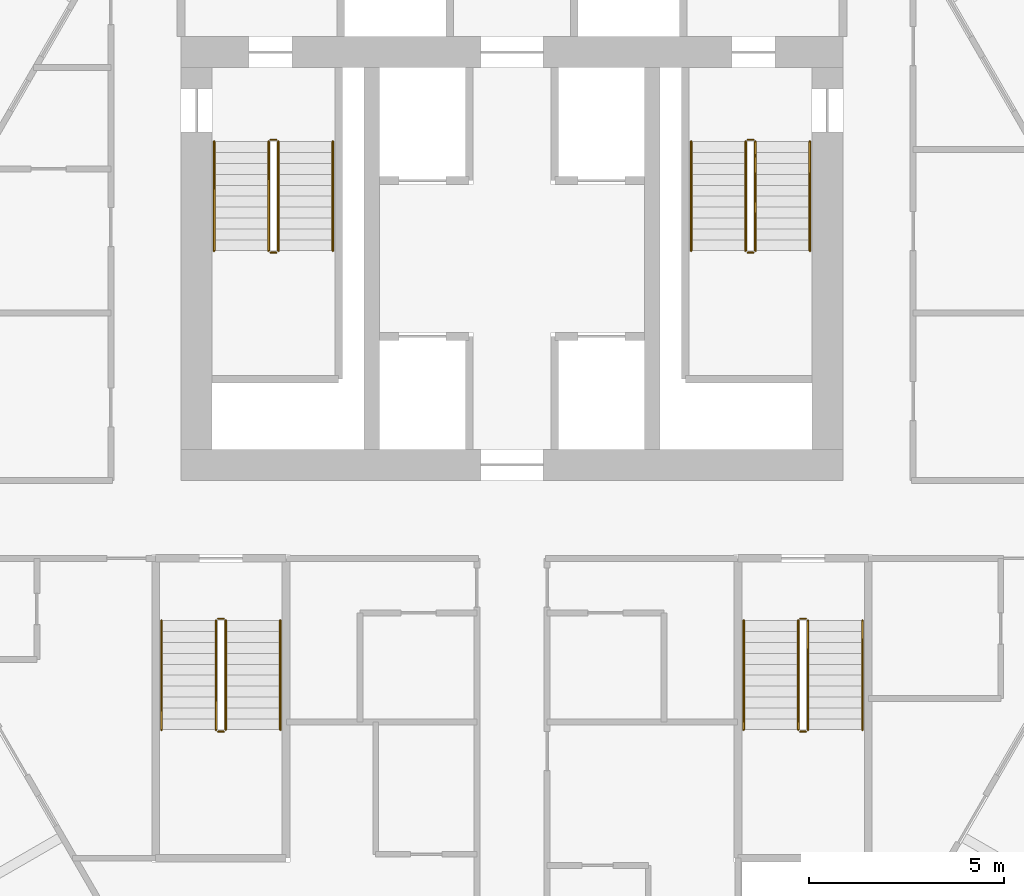
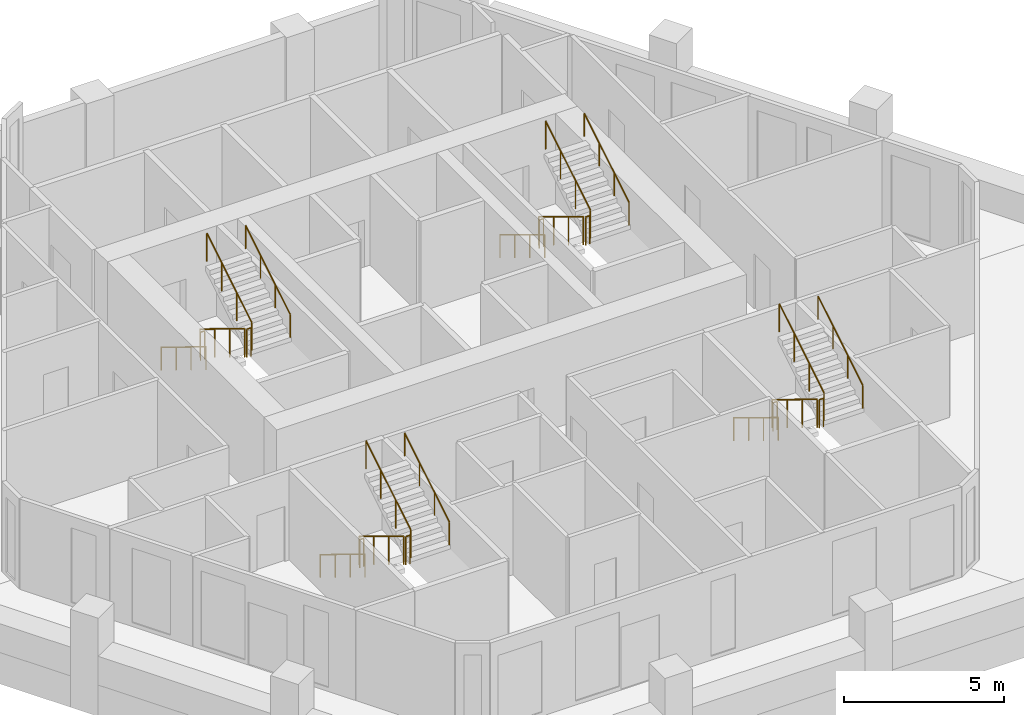
# One storey, part 7 of 7: 24 railings.
"""IFC4 building model written with IfcOpenShell, lengths in metres."""

from ifc_helpers import new_model, si_unit, direction, frame, origin, origin_2d, place, context, subcontext, project, spatial, circle, extrude, material, type_object, element, save


model = new_model("IFC4")

# Units and contexts
model_context = context("Model", 3, precision=1e-05, world=origin(), true_north=direction((0.0, 1.0)))
body_context = subcontext(model_context, "Body", "Model", "MODEL_VIEW")
ifc_project = project(units=[si_unit("LENGTHUNIT", "METRE"), si_unit("AREAUNIT", "SQUARE_METRE"), si_unit("VOLUMEUNIT", "CUBIC_METRE"), si_unit("PLANEANGLEUNIT", "RADIAN"), si_unit("MASSUNIT", "GRAM", prefix="KILO")], contexts=[model_context])

# Site, building, storey
site_placement = place(None, origin())
site = spatial("IfcSite", under=ifc_project, at=site_placement, CompositionType="ELEMENT")
building_placement = place(site_placement, origin())
building = spatial("IfcBuilding", under=site, at=building_placement, Name="Ostrander Bayou Hotel Tower", CompositionType="ELEMENT")
storey_placement = place(building_placement, frame((0.0, 0.0, 168.25)))
storey = spatial("IfcBuildingStorey", under=building, at=storey_placement, Name="L41", CompositionType="ELEMENT", Elevation=168.25)

# Railings
ifc_material_1 = material(Name="Steel ASTM A500 Gr C", Category="steel")
railing_type_1 = type_object("IfcRailingType", Name="GR1 stair guard 1100 mm steel", PredefinedType="GUARDRAIL", material=ifc_material_1)
railing_1_placement = place(storey_placement, frame((-6.25, 7.0, 0.17041015625)))
element("IfcRailing", 1, at=railing_1_placement, inside=storey, type_object=railing_type_1, Name="L41 STA stair guard 1", PredefinedType="GUARDRAIL", context=body_context, shape_type="SweptSolid", body=[
    extrude(circle(Radius=0.02392578125, at=origin_2d()), frame((0.0, 0.0, 1.076171875), z_axis=(0.0, -0.854169791009, 0.51999420009), x_axis=(1.0, 0.0, 0.0)), (0.0, 0.0, 1.0), 3.278076171875),
    extrude(circle(Radius=0.02099609375, at=origin_2d()), origin(), (0.0, 0.0, 1.0), 1.052001953125),
    extrude(circle(Radius=0.02099609375, at=origin_2d()), frame((0.0, -0.933349609375, 0.568115234375)), (0.0, 0.0, 1.0), 1.052001953125),
    extrude(circle(Radius=0.02099609375, at=origin_2d()), frame((0.0, -1.86669921875, 1.136474609375)), (0.0, 0.0, 1.0), 1.052001953125),
    extrude(circle(Radius=0.02099609375, at=origin_2d()), frame((0.0, -2.800048828125, 1.70458984375)), (0.0, 0.0, 1.0), 1.052001953125),
])
railing_2_placement = place(storey_placement, frame((-6.199951171875, 4.14990234375, 1.875)))
element("IfcRailing", 2, at=railing_2_placement, inside=storey, type_object=railing_type_1, Name="L41 STA stair guard 2", PredefinedType="GUARDRAIL", context=body_context, shape_type="SweptSolid", body=[
    extrude(circle(Radius=0.02392578125, at=origin_2d()), frame((0.0, 0.0, 1.076171875), z_axis=(1.0, 0.0, 0.0), x_axis=(0.0, 1.0, 0.0)), (0.0, 0.0, 1.0), 0.14990234375),
    extrude(circle(Radius=0.02099609375, at=origin_2d()), origin(), (0.0, 0.0, 1.0), 1.052001953125),
    extrude(circle(Radius=0.02099609375, at=origin_2d()), frame((0.14990234375, 0.0, 0.0)), (0.0, 0.0, 1.0), 1.052001953125),
])
railing_3_placement = place(storey_placement, frame((-6.0, 4.199951171875, 2.04541015625)))
element("IfcRailing", 3, at=railing_3_placement, inside=storey, type_object=railing_type_1, Name="L41 STA stair guard 3", PredefinedType="GUARDRAIL", context=body_context, shape_type="SweptSolid", body=[
    extrude(circle(Radius=0.02392578125, at=origin_2d()), frame((0.0, 0.0, 1.076171875), z_axis=(0.0, 0.854169791009, 0.51999420009), x_axis=(-1.0, 0.0, 0.0)), (0.0, 0.0, 1.0), 3.278076171875),
    extrude(circle(Radius=0.02099609375, at=origin_2d()), origin(), (0.0, 0.0, 1.0), 1.052001953125),
    extrude(circle(Radius=0.02099609375, at=origin_2d()), frame((0.0, 0.933349609375, 0.568115234375)), (0.0, 0.0, 1.0), 1.052001953125),
    extrude(circle(Radius=0.02099609375, at=origin_2d()), frame((0.0, 1.86669921875, 1.136474609375)), (0.0, 0.0, 1.0), 1.052001953125),
    extrude(circle(Radius=0.02099609375, at=origin_2d()), frame((0.0, 2.800048828125, 1.70458984375)), (0.0, 0.0, 1.0), 1.052001953125),
])
railing_4_placement = place(storey_placement, frame((-6.199951171875, 7.050048828125, 0.0)))
element("IfcRailing", 4, at=railing_4_placement, inside=storey, type_object=railing_type_1, Name="L41 STA stair guard 4", PredefinedType="GUARDRAIL", context=body_context, shape_type="SweptSolid", body=[
    extrude(circle(Radius=0.02392578125, at=origin_2d()), frame((0.0, 0.0, 1.076171875), z_axis=(1.0, 0.0, 0.0), x_axis=(0.0, 1.0, 0.0)), (0.0, 0.0, 1.0), 0.14990234375),
    extrude(circle(Radius=0.02099609375, at=origin_2d()), origin(), (0.0, 0.0, 1.0), 1.052001953125),
    extrude(circle(Radius=0.02099609375, at=origin_2d()), frame((0.14990234375, 0.0, 0.0)), (0.0, 0.0, 1.0), 1.052001953125),
])
railing_5_placement = place(storey_placement, frame((6.0, 7.0, 0.17041015625)))
element("IfcRailing", 5, at=railing_5_placement, inside=storey, type_object=railing_type_1, Name="L41 STB stair guard 1", PredefinedType="GUARDRAIL", context=body_context, shape_type="SweptSolid", body=[
    extrude(circle(Radius=0.02392578125, at=origin_2d()), frame((0.0, 0.0, 1.076171875), z_axis=(0.0, -0.854169791009, 0.51999420009), x_axis=(1.0, 0.0, 0.0)), (0.0, 0.0, 1.0), 3.278076171875),
    extrude(circle(Radius=0.02099609375, at=origin_2d()), origin(), (0.0, 0.0, 1.0), 1.052001953125),
    extrude(circle(Radius=0.02099609375, at=origin_2d()), frame((0.0, -0.933349609375, 0.568115234375)), (0.0, 0.0, 1.0), 1.052001953125),
    extrude(circle(Radius=0.02099609375, at=origin_2d()), frame((0.0, -1.86669921875, 1.136474609375)), (0.0, 0.0, 1.0), 1.052001953125),
    extrude(circle(Radius=0.02099609375, at=origin_2d()), frame((0.0, -2.800048828125, 1.70458984375)), (0.0, 0.0, 1.0), 1.052001953125),
])
railing_6_placement = place(storey_placement, frame((6.050048828125, 4.14990234375, 1.875)))
element("IfcRailing", 6, at=railing_6_placement, inside=storey, type_object=railing_type_1, Name="L41 STB stair guard 2", PredefinedType="GUARDRAIL", context=body_context, shape_type="SweptSolid", body=[
    extrude(circle(Radius=0.02392578125, at=origin_2d()), frame((0.0, 0.0, 1.076171875), z_axis=(1.0, 0.0, 0.0), x_axis=(0.0, 1.0, 0.0)), (0.0, 0.0, 1.0), 0.14990234375),
    extrude(circle(Radius=0.02099609375, at=origin_2d()), origin(), (0.0, 0.0, 1.0), 1.052001953125),
    extrude(circle(Radius=0.02099609375, at=origin_2d()), frame((0.14990234375, 0.0, 0.0)), (0.0, 0.0, 1.0), 1.052001953125),
])
railing_7_placement = place(storey_placement, frame((6.25, 4.199951171875, 2.04541015625)))
element("IfcRailing", 7, at=railing_7_placement, inside=storey, type_object=railing_type_1, Name="L41 STB stair guard 3", PredefinedType="GUARDRAIL", context=body_context, shape_type="SweptSolid", body=[
    extrude(circle(Radius=0.02392578125, at=origin_2d()), frame((0.0, 0.0, 1.076171875), z_axis=(0.0, 0.854169791009, 0.51999420009), x_axis=(-1.0, 0.0, 0.0)), (0.0, 0.0, 1.0), 3.278076171875),
    extrude(circle(Radius=0.02099609375, at=origin_2d()), origin(), (0.0, 0.0, 1.0), 1.052001953125),
    extrude(circle(Radius=0.02099609375, at=origin_2d()), frame((0.0, 0.933349609375, 0.568115234375)), (0.0, 0.0, 1.0), 1.052001953125),
    extrude(circle(Radius=0.02099609375, at=origin_2d()), frame((0.0, 1.86669921875, 1.136474609375)), (0.0, 0.0, 1.0), 1.052001953125),
    extrude(circle(Radius=0.02099609375, at=origin_2d()), frame((0.0, 2.800048828125, 1.70458984375)), (0.0, 0.0, 1.0), 1.052001953125),
])
railing_8_placement = place(storey_placement, frame((6.050048828125, 7.050048828125, 0.0)))
element("IfcRailing", 8, at=railing_8_placement, inside=storey, type_object=railing_type_1, Name="L41 STB stair guard 4", PredefinedType="GUARDRAIL", context=body_context, shape_type="SweptSolid", body=[
    extrude(circle(Radius=0.02392578125, at=origin_2d()), frame((0.0, 0.0, 1.076171875), z_axis=(1.0, 0.0, 0.0), x_axis=(0.0, 1.0, 0.0)), (0.0, 0.0, 1.0), 0.14990234375),
    extrude(circle(Radius=0.02099609375, at=origin_2d()), origin(), (0.0, 0.0, 1.0), 1.052001953125),
    extrude(circle(Radius=0.02099609375, at=origin_2d()), frame((0.14990234375, 0.0, 0.0)), (0.0, 0.0, 1.0), 1.052001953125),
])
railing_9_placement = place(storey_placement, frame((7.35009765625, -5.300048828125, 0.17041015625)))
element("IfcRailing", 9, at=railing_9_placement, inside=storey, type_object=railing_type_1, Name="L41 STC stair guard 1", PredefinedType="GUARDRAIL", context=body_context, shape_type="SweptSolid", body=[
    extrude(circle(Radius=0.02392578125, at=origin_2d()), frame((0.0, 0.0, 1.076171875), z_axis=(0.0, -0.854169791009, 0.51999420009), x_axis=(1.0, 0.0, 0.0)), (0.0, 0.0, 1.0), 3.278076171875),
    extrude(circle(Radius=0.02099609375, at=origin_2d()), origin(), (0.0, 0.0, 1.0), 1.052001953125),
    extrude(circle(Radius=0.02099609375, at=origin_2d()), frame((0.0, -0.933349609375, 0.568115234375)), (0.0, 0.0, 1.0), 1.052001953125),
    extrude(circle(Radius=0.02099609375, at=origin_2d()), frame((0.0, -1.86669921875, 1.136474609375)), (0.0, 0.0, 1.0), 1.052001953125),
    extrude(circle(Radius=0.02099609375, at=origin_2d()), frame((0.0, -2.800048828125, 1.70458984375)), (0.0, 0.0, 1.0), 1.052001953125),
])
railing_10_placement = place(storey_placement, frame((7.39990234375, -8.14990234375, 1.875)))
element("IfcRailing", 10, at=railing_10_placement, inside=storey, type_object=railing_type_1, Name="L41 STC stair guard 2", PredefinedType="GUARDRAIL", context=body_context, shape_type="SweptSolid", body=[
    extrude(circle(Radius=0.02392578125, at=origin_2d()), frame((0.0, 0.0, 1.076171875), z_axis=(1.0, 0.0, 0.0), x_axis=(0.0, 1.0, 0.0)), (0.0, 0.0, 1.0), 0.150146484375),
    extrude(circle(Radius=0.02099609375, at=origin_2d()), origin(), (0.0, 0.0, 1.0), 1.052001953125),
    extrude(circle(Radius=0.02099609375, at=origin_2d()), frame((0.150146484375, 0.0, 0.0)), (0.0, 0.0, 1.0), 1.052001953125),
])
railing_11_placement = place(storey_placement, frame((7.60009765625, -8.10009765625, 2.04541015625)))
element("IfcRailing", 11, at=railing_11_placement, inside=storey, type_object=railing_type_1, Name="L41 STC stair guard 3", PredefinedType="GUARDRAIL", context=body_context, shape_type="SweptSolid", body=[
    extrude(circle(Radius=0.02392578125, at=origin_2d()), frame((0.0, 0.0, 1.076171875), z_axis=(0.0, 0.854169791009, 0.51999420009), x_axis=(-1.0, 0.0, 0.0)), (0.0, 0.0, 1.0), 3.278076171875),
    extrude(circle(Radius=0.02099609375, at=origin_2d()), origin(), (0.0, 0.0, 1.0), 1.052001953125),
    extrude(circle(Radius=0.02099609375, at=origin_2d()), frame((0.0, 0.933349609375, 0.568115234375)), (0.0, 0.0, 1.0), 1.052001953125),
    extrude(circle(Radius=0.02099609375, at=origin_2d()), frame((0.0, 1.86669921875, 1.136474609375)), (0.0, 0.0, 1.0), 1.052001953125),
    extrude(circle(Radius=0.02099609375, at=origin_2d()), frame((0.0, 2.800048828125, 1.70458984375)), (0.0, 0.0, 1.0), 1.052001953125),
])
railing_12_placement = place(storey_placement, frame((7.39990234375, -5.25, 0.0)))
element("IfcRailing", 12, at=railing_12_placement, inside=storey, type_object=railing_type_1, Name="L41 STC stair guard 4", PredefinedType="GUARDRAIL", context=body_context, shape_type="SweptSolid", body=[
    extrude(circle(Radius=0.02392578125, at=origin_2d()), frame((0.0, 0.0, 1.076171875), z_axis=(1.0, 0.0, 0.0), x_axis=(0.0, 1.0, 0.0)), (0.0, 0.0, 1.0), 0.150146484375),
    extrude(circle(Radius=0.02099609375, at=origin_2d()), origin(), (0.0, 0.0, 1.0), 1.052001953125),
    extrude(circle(Radius=0.02099609375, at=origin_2d()), frame((0.150146484375, 0.0, 0.0)), (0.0, 0.0, 1.0), 1.052001953125),
])
railing_13_placement = place(storey_placement, frame((-7.60009765625, -5.300048828125, 0.17041015625)))
element("IfcRailing", 13, at=railing_13_placement, inside=storey, type_object=railing_type_1, Name="L41 STD stair guard 1", PredefinedType="GUARDRAIL", context=body_context, shape_type="SweptSolid", body=[
    extrude(circle(Radius=0.02392578125, at=origin_2d()), frame((0.0, 0.0, 1.076171875), z_axis=(0.0, -0.854169791009, 0.51999420009), x_axis=(1.0, 0.0, 0.0)), (0.0, 0.0, 1.0), 3.278076171875),
    extrude(circle(Radius=0.02099609375, at=origin_2d()), origin(), (0.0, 0.0, 1.0), 1.052001953125),
    extrude(circle(Radius=0.02099609375, at=origin_2d()), frame((0.0, -0.933349609375, 0.568115234375)), (0.0, 0.0, 1.0), 1.052001953125),
    extrude(circle(Radius=0.02099609375, at=origin_2d()), frame((0.0, -1.86669921875, 1.136474609375)), (0.0, 0.0, 1.0), 1.052001953125),
    extrude(circle(Radius=0.02099609375, at=origin_2d()), frame((0.0, -2.800048828125, 1.70458984375)), (0.0, 0.0, 1.0), 1.052001953125),
])
railing_14_placement = place(storey_placement, frame((-7.550048828125, -8.14990234375, 1.875)))
element("IfcRailing", 14, at=railing_14_placement, inside=storey, type_object=railing_type_1, Name="L41 STD stair guard 2", PredefinedType="GUARDRAIL", context=body_context, shape_type="SweptSolid", body=[
    extrude(circle(Radius=0.02392578125, at=origin_2d()), frame((0.0, 0.0, 1.076171875), z_axis=(1.0, 0.0, 0.0), x_axis=(0.0, 1.0, 0.0)), (0.0, 0.0, 1.0), 0.150146484375),
    extrude(circle(Radius=0.02099609375, at=origin_2d()), origin(), (0.0, 0.0, 1.0), 1.052001953125),
    extrude(circle(Radius=0.02099609375, at=origin_2d()), frame((0.150146484375, 0.0, 0.0)), (0.0, 0.0, 1.0), 1.052001953125),
])
railing_15_placement = place(storey_placement, frame((-7.35009765625, -8.10009765625, 2.04541015625)))
element("IfcRailing", 15, at=railing_15_placement, inside=storey, type_object=railing_type_1, Name="L41 STD stair guard 3", PredefinedType="GUARDRAIL", context=body_context, shape_type="SweptSolid", body=[
    extrude(circle(Radius=0.02392578125, at=origin_2d()), frame((0.0, 0.0, 1.076171875), z_axis=(0.0, 0.854169791009, 0.51999420009), x_axis=(-1.0, 0.0, 0.0)), (0.0, 0.0, 1.0), 3.278076171875),
    extrude(circle(Radius=0.02099609375, at=origin_2d()), origin(), (0.0, 0.0, 1.0), 1.052001953125),
    extrude(circle(Radius=0.02099609375, at=origin_2d()), frame((0.0, 0.933349609375, 0.568115234375)), (0.0, 0.0, 1.0), 1.052001953125),
    extrude(circle(Radius=0.02099609375, at=origin_2d()), frame((0.0, 1.86669921875, 1.136474609375)), (0.0, 0.0, 1.0), 1.052001953125),
    extrude(circle(Radius=0.02099609375, at=origin_2d()), frame((0.0, 2.800048828125, 1.70458984375)), (0.0, 0.0, 1.0), 1.052001953125),
])
railing_16_placement = place(storey_placement, frame((-7.550048828125, -5.25, 0.0)))
element("IfcRailing", 16, at=railing_16_placement, inside=storey, type_object=railing_type_1, Name="L41 STD stair guard 4", PredefinedType="GUARDRAIL", context=body_context, shape_type="SweptSolid", body=[
    extrude(circle(Radius=0.02392578125, at=origin_2d()), frame((0.0, 0.0, 1.076171875), z_axis=(1.0, 0.0, 0.0), x_axis=(0.0, 1.0, 0.0)), (0.0, 0.0, 1.0), 0.150146484375),
    extrude(circle(Radius=0.02099609375, at=origin_2d()), origin(), (0.0, 0.0, 1.0), 1.052001953125),
    extrude(circle(Radius=0.02099609375, at=origin_2d()), frame((0.150146484375, 0.0, 0.0)), (0.0, 0.0, 1.0), 1.052001953125),
])
ifc_material_2 = material(Name="Steel ASTM A500 Gr C", Category="steel")
railing_type_2 = type_object("IfcRailingType", Name="HR1 stair handrail 900 mm steel", PredefinedType="HANDRAIL", material=ifc_material_2)
railing_17_placement = place(storey_placement, frame((-7.64990234375, 7.0, 0.17041015625)))
element("IfcRailing", 17, at=railing_17_placement, inside=storey, type_object=railing_type_2, Name="L41 STA stair handrail 1", PredefinedType="HANDRAIL", context=body_context, shape_type="SweptSolid", body=[
    extrude(circle(Radius=0.02392578125, at=origin_2d()), frame((0.0, 0.0, 0.8759765625), z_axis=(0.0, -0.854169791009, 0.51999420009), x_axis=(1.0, 0.0, 0.0)), (0.0, 0.0, 1.0), 3.278076171875),
    extrude(circle(Radius=0.02099609375, at=origin_2d()), origin(), (0.0, 0.0, 1.0), 0.851806640625),
    extrude(circle(Radius=0.02099609375, at=origin_2d()), frame((0.0, -0.933349609375, 0.568115234375)), (0.0, 0.0, 1.0), 0.851806640625),
    extrude(circle(Radius=0.02099609375, at=origin_2d()), frame((0.0, -1.86669921875, 1.136474609375)), (0.0, 0.0, 1.0), 0.851806640625),
    extrude(circle(Radius=0.02099609375, at=origin_2d()), frame((0.0, -2.800048828125, 1.70458984375)), (0.0, 0.0, 1.0), 0.851806640625),
])
railing_18_placement = place(storey_placement, frame((-4.60009765625, 4.199951171875, 2.04541015625)))
element("IfcRailing", 18, at=railing_18_placement, inside=storey, type_object=railing_type_2, Name="L41 STA stair handrail 2", PredefinedType="HANDRAIL", context=body_context, shape_type="SweptSolid", body=[
    extrude(circle(Radius=0.02392578125, at=origin_2d()), frame((0.0, 0.0, 0.8759765625), z_axis=(0.0, 0.854169791009, 0.51999420009), x_axis=(-1.0, 0.0, 0.0)), (0.0, 0.0, 1.0), 3.278076171875),
    extrude(circle(Radius=0.02099609375, at=origin_2d()), origin(), (0.0, 0.0, 1.0), 0.851806640625),
    extrude(circle(Radius=0.02099609375, at=origin_2d()), frame((0.0, 0.933349609375, 0.568115234375)), (0.0, 0.0, 1.0), 0.851806640625),
    extrude(circle(Radius=0.02099609375, at=origin_2d()), frame((0.0, 1.86669921875, 1.136474609375)), (0.0, 0.0, 1.0), 0.851806640625),
    extrude(circle(Radius=0.02099609375, at=origin_2d()), frame((0.0, 2.800048828125, 1.70458984375)), (0.0, 0.0, 1.0), 0.851806640625),
])
railing_19_placement = place(storey_placement, frame((4.60009765625, 7.0, 0.17041015625)))
element("IfcRailing", 19, at=railing_19_placement, inside=storey, type_object=railing_type_2, Name="L41 STB stair handrail 1", PredefinedType="HANDRAIL", context=body_context, shape_type="SweptSolid", body=[
    extrude(circle(Radius=0.02392578125, at=origin_2d()), frame((0.0, 0.0, 0.8759765625), z_axis=(0.0, -0.854169791009, 0.51999420009), x_axis=(1.0, 0.0, 0.0)), (0.0, 0.0, 1.0), 3.278076171875),
    extrude(circle(Radius=0.02099609375, at=origin_2d()), origin(), (0.0, 0.0, 1.0), 0.851806640625),
    extrude(circle(Radius=0.02099609375, at=origin_2d()), frame((0.0, -0.933349609375, 0.568115234375)), (0.0, 0.0, 1.0), 0.851806640625),
    extrude(circle(Radius=0.02099609375, at=origin_2d()), frame((0.0, -1.86669921875, 1.136474609375)), (0.0, 0.0, 1.0), 0.851806640625),
    extrude(circle(Radius=0.02099609375, at=origin_2d()), frame((0.0, -2.800048828125, 1.70458984375)), (0.0, 0.0, 1.0), 0.851806640625),
])
railing_20_placement = place(storey_placement, frame((7.64990234375, 4.199951171875, 2.04541015625)))
element("IfcRailing", 20, at=railing_20_placement, inside=storey, type_object=railing_type_2, Name="L41 STB stair handrail 2", PredefinedType="HANDRAIL", context=body_context, shape_type="SweptSolid", body=[
    extrude(circle(Radius=0.02392578125, at=origin_2d()), frame((0.0, 0.0, 0.8759765625), z_axis=(0.0, 0.854169791009, 0.51999420009), x_axis=(-1.0, 0.0, 0.0)), (0.0, 0.0, 1.0), 3.278076171875),
    extrude(circle(Radius=0.02099609375, at=origin_2d()), origin(), (0.0, 0.0, 1.0), 0.851806640625),
    extrude(circle(Radius=0.02099609375, at=origin_2d()), frame((0.0, 0.933349609375, 0.568115234375)), (0.0, 0.0, 1.0), 0.851806640625),
    extrude(circle(Radius=0.02099609375, at=origin_2d()), frame((0.0, 1.86669921875, 1.136474609375)), (0.0, 0.0, 1.0), 0.851806640625),
    extrude(circle(Radius=0.02099609375, at=origin_2d()), frame((0.0, 2.800048828125, 1.70458984375)), (0.0, 0.0, 1.0), 0.851806640625),
])
railing_21_placement = place(storey_placement, frame((5.949951171875, -5.300048828125, 0.17041015625)))
element("IfcRailing", 21, at=railing_21_placement, inside=storey, type_object=railing_type_2, Name="L41 STC stair handrail 1", PredefinedType="HANDRAIL", context=body_context, shape_type="SweptSolid", body=[
    extrude(circle(Radius=0.02392578125, at=origin_2d()), frame((0.0, 0.0, 0.8759765625), z_axis=(0.0, -0.854169791009, 0.51999420009), x_axis=(1.0, 0.0, 0.0)), (0.0, 0.0, 1.0), 3.278076171875),
    extrude(circle(Radius=0.02099609375, at=origin_2d()), origin(), (0.0, 0.0, 1.0), 0.851806640625),
    extrude(circle(Radius=0.02099609375, at=origin_2d()), frame((0.0, -0.933349609375, 0.568115234375)), (0.0, 0.0, 1.0), 0.851806640625),
    extrude(circle(Radius=0.02099609375, at=origin_2d()), frame((0.0, -1.86669921875, 1.136474609375)), (0.0, 0.0, 1.0), 0.851806640625),
    extrude(circle(Radius=0.02099609375, at=origin_2d()), frame((0.0, -2.800048828125, 1.70458984375)), (0.0, 0.0, 1.0), 0.851806640625),
])
railing_22_placement = place(storey_placement, frame((9.0, -8.10009765625, 2.04541015625)))
element("IfcRailing", 22, at=railing_22_placement, inside=storey, type_object=railing_type_2, Name="L41 STC stair handrail 2", PredefinedType="HANDRAIL", context=body_context, shape_type="SweptSolid", body=[
    extrude(circle(Radius=0.02392578125, at=origin_2d()), frame((0.0, 0.0, 0.8759765625), z_axis=(0.0, 0.854169791009, 0.51999420009), x_axis=(-1.0, 0.0, 0.0)), (0.0, 0.0, 1.0), 3.278076171875),
    extrude(circle(Radius=0.02099609375, at=origin_2d()), origin(), (0.0, 0.0, 1.0), 0.851806640625),
    extrude(circle(Radius=0.02099609375, at=origin_2d()), frame((0.0, 0.933349609375, 0.568115234375)), (0.0, 0.0, 1.0), 0.851806640625),
    extrude(circle(Radius=0.02099609375, at=origin_2d()), frame((0.0, 1.86669921875, 1.136474609375)), (0.0, 0.0, 1.0), 0.851806640625),
    extrude(circle(Radius=0.02099609375, at=origin_2d()), frame((0.0, 2.800048828125, 1.70458984375)), (0.0, 0.0, 1.0), 0.851806640625),
])
railing_23_placement = place(storey_placement, frame((-9.0, -5.300048828125, 0.17041015625)))
element("IfcRailing", 23, at=railing_23_placement, inside=storey, type_object=railing_type_2, Name="L41 STD stair handrail 1", PredefinedType="HANDRAIL", context=body_context, shape_type="SweptSolid", body=[
    extrude(circle(Radius=0.02392578125, at=origin_2d()), frame((0.0, 0.0, 0.8759765625), z_axis=(0.0, -0.854169791009, 0.51999420009), x_axis=(1.0, 0.0, 0.0)), (0.0, 0.0, 1.0), 3.278076171875),
    extrude(circle(Radius=0.02099609375, at=origin_2d()), origin(), (0.0, 0.0, 1.0), 0.851806640625),
    extrude(circle(Radius=0.02099609375, at=origin_2d()), frame((0.0, -0.933349609375, 0.568115234375)), (0.0, 0.0, 1.0), 0.851806640625),
    extrude(circle(Radius=0.02099609375, at=origin_2d()), frame((0.0, -1.86669921875, 1.136474609375)), (0.0, 0.0, 1.0), 0.851806640625),
    extrude(circle(Radius=0.02099609375, at=origin_2d()), frame((0.0, -2.800048828125, 1.70458984375)), (0.0, 0.0, 1.0), 0.851806640625),
])
railing_24_placement = place(storey_placement, frame((-5.949951171875, -8.10009765625, 2.04541015625)))
element("IfcRailing", 24, at=railing_24_placement, inside=storey, type_object=railing_type_2, Name="L41 STD stair handrail 2", PredefinedType="HANDRAIL", context=body_context, shape_type="SweptSolid", body=[
    extrude(circle(Radius=0.02392578125, at=origin_2d()), frame((0.0, 0.0, 0.8759765625), z_axis=(0.0, 0.854169791009, 0.51999420009), x_axis=(-1.0, 0.0, 0.0)), (0.0, 0.0, 1.0), 3.278076171875),
    extrude(circle(Radius=0.02099609375, at=origin_2d()), origin(), (0.0, 0.0, 1.0), 0.851806640625),
    extrude(circle(Radius=0.02099609375, at=origin_2d()), frame((0.0, 0.933349609375, 0.568115234375)), (0.0, 0.0, 1.0), 0.851806640625),
    extrude(circle(Radius=0.02099609375, at=origin_2d()), frame((0.0, 1.86669921875, 1.136474609375)), (0.0, 0.0, 1.0), 0.851806640625),
    extrude(circle(Radius=0.02099609375, at=origin_2d()), frame((0.0, 2.800048828125, 1.70458984375)), (0.0, 0.0, 1.0), 0.851806640625),
])

save(model, "model.ifc")
